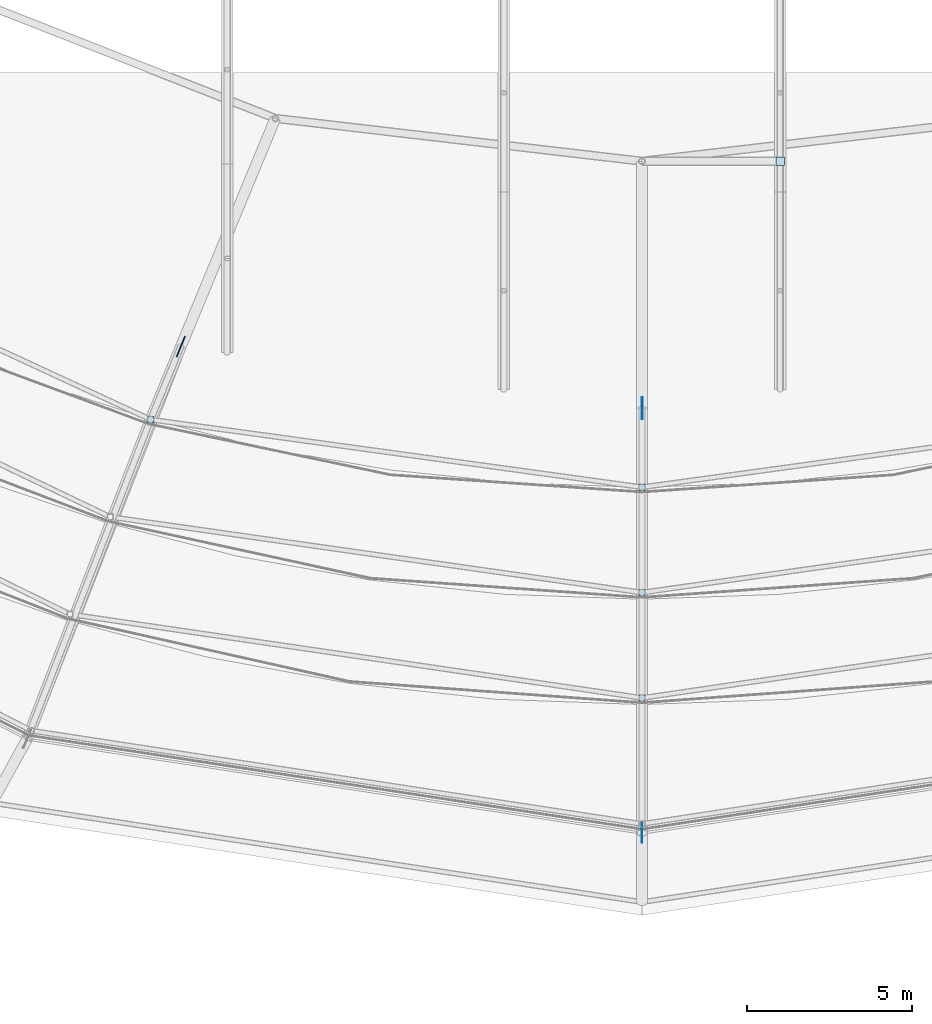
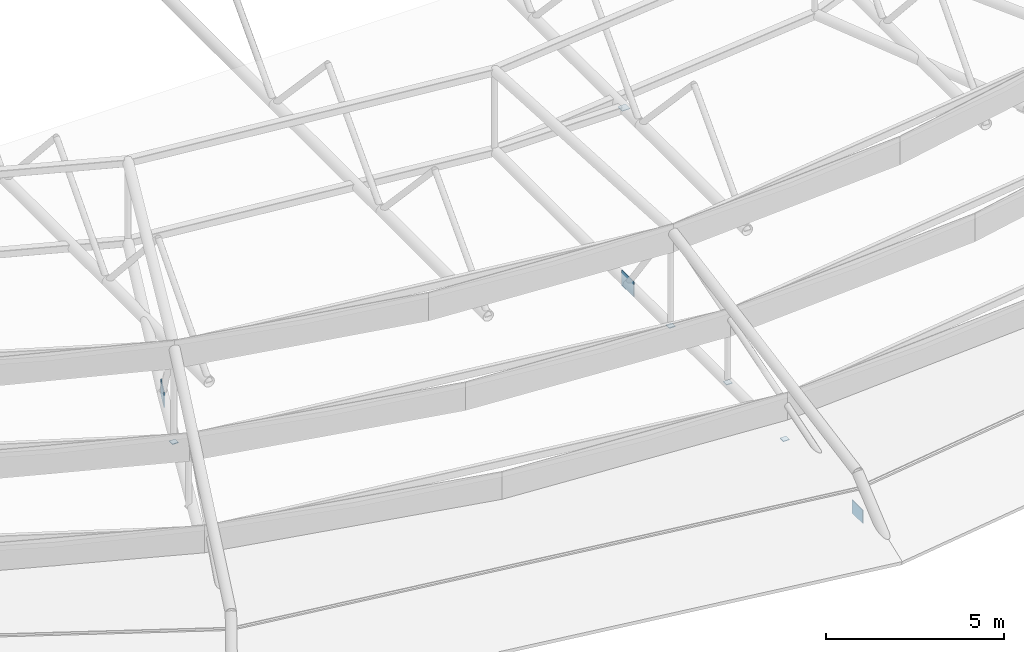
# One storey, part 114 of 134: 8 plates.
"""IFC4 building model written with IfcOpenShell, lengths in metres."""

from ifc_helpers import new_model, si_unit, derived_unit, direction, frame, origin, origin_2d, place, context, subcontext, project, spatial, rectangle, extrude, material, layer, layer_set, type_object, element, save


model = new_model("IFC4")

# Units and contexts
model_context = context("Model", 3, precision=1e-05, world=origin(), true_north=direction((0.0, 1.0)))
body_context = subcontext(model_context, "Body", "Model", "MODEL_VIEW")
ifc_project = project(units=[si_unit("LENGTHUNIT", "METRE"), si_unit("AREAUNIT", "SQUARE_METRE"), si_unit("VOLUMEUNIT", "CUBIC_METRE"), si_unit("PLANEANGLEUNIT", "RADIAN"), si_unit("MASSUNIT", "GRAM", prefix="KILO"), derived_unit("THERMALTRANSMITTANCEUNIT", [(si_unit("MASSUNIT", "GRAM", prefix="KILO"), 1), (si_unit("TIMEUNIT", "SECOND"), -3), (si_unit("THERMODYNAMICTEMPERATUREUNIT", "KELVIN"), -1)])], contexts=[model_context])

# Site, building, storey
site_placement = place(None, origin())
site = spatial("IfcSite", under=ifc_project, at=site_placement, CompositionType="ELEMENT")
building_placement = place(site_placement, origin())
building = spatial("IfcBuilding", under=site, at=building_placement, Name="Kharveza Railside Sports Centre", CompositionType="ELEMENT")
storey_placement = place(building_placement, frame((0.0, 0.0, 12.89990234375)))
storey = spatial("IfcBuildingStorey", under=building, at=storey_placement, Name="L03", CompositionType="ELEMENT", Elevation=12.89990234375)

# Plates
ifc_material = material(Name="Steel S355J2", Category="steel")
ifc_layer_1 = layer(ifc_material, 0.02001953125, Name="Steel S355J2")
ifc_layer_set_1 = layer_set([ifc_layer_1], Name="Steel S355J2")
plate_type_1 = type_object("IfcPlateType", Name="PL-EC06", PredefinedType="USERDEFINED", material=ifc_layer_set_1)
plate_1_placement = place(storey_placement, frame((58.800048828125, 33.300048828125, -0.059814453125), z_axis=(0.0, 0.0, 1.0), x_axis=(1.0, 0.0, 0.0)))
element("IfcPlate", 1, at=plate_1_placement, inside=storey, type_object=plate_type_1, Name="PLT-EC-085", ObjectType="END_CAP_PLATE", PredefinedType="USERDEFINED", context=body_context, shape_type="SweptSolid", body=[
    extrude(rectangle(XDim=0.25, YDim=0.25, at=origin_2d()), origin(), (0.0, 0.0, 1.0), 0.02001953125),
])
ifc_layer_2 = layer(ifc_material, 0.02001953125, Name="Steel S355J2")
ifc_layer_set_2 = layer_set([ifc_layer_2], Name="Steel S355J2")
plate_type_2 = type_object("IfcPlateType", Name="PL-EC09", PredefinedType="USERDEFINED", material=ifc_layer_set_2)
for number, where, z_axis, x_axis, name in (
    (2, (54.60009765625, 17.0, -0.059814453125), (0.0, 0.0, 1.0), (1.0, 0.0, 0.0), "PLT-EC-032"),
    (3, (54.60009765625, 20.199951171875, -0.059814453125), (0.0, 0.0, 1.0), (1.0, 0.0, 0.0), "PLT-EC-048"),
    (4, (39.67529296875, 25.455322265625, -0.059814453125), (0.0, 0.0, 1.0), (1.0, 0.0, 0.0), "PLT-EC-063"),
    (5, (54.60009765625, 23.39990234375, -0.059814453125), (0.0, 0.0, 1.0), (1.0, 0.0, 0.0), "PLT-EC-064"),
):
    element("IfcPlate", number, at=place(storey_placement, frame(where, z_axis=z_axis, x_axis=x_axis)), inside=storey, type_object=plate_type_2, Name=name, ObjectType="END_CAP_PLATE", PredefinedType="USERDEFINED", context=body_context, shape_type="SweptSolid", body=[
        extrude(rectangle(XDim=0.194091796875, YDim=0.194091796875, at=origin_2d()), origin(), (0.0, 0.0, 1.0), 0.02001953125),
    ])
ifc_layer_3 = layer(ifc_material, 0.030029296875, Name="Steel S355J2")
ifc_layer_set_3 = layer_set([ifc_layer_3], Name="Steel S355J2")
plate_type_3 = type_object("IfcPlateType", Name="PL-GS01", PredefinedType="USERDEFINED", material=ifc_layer_set_3)
for number, where, z_axis, x_axis, name in (
    (6, (40.59375, 27.672607421875, -0.309814453125), (0.0, 0.0, 1.0), (-0.382683432365, -0.923879532511, 0.0), "PLT-GS-DRUM-12"),
    (7, (54.60009765625, 25.800048828125, -0.309814453125), (0.0, 0.0, 1.0), (0.0, -1.0, 0.0), "PLT-GS-DRUM-13"),
):
    element("IfcPlate", number, at=place(storey_placement, frame(where, z_axis=z_axis, x_axis=x_axis)), inside=storey, type_object=plate_type_3, Name=name, ObjectType="GUSSET_PLATE", PredefinedType="USERDEFINED", context=body_context, shape_type="SweptSolid", body=[
        extrude(rectangle(XDim=0.679931640625, YDim=0.030029296875, at=origin_2d()), origin(), (0.0, 0.0, 1.0), 0.52001953125),
    ])
ifc_layer_4 = layer(ifc_material, 0.02490234375, Name="Steel S355J2")
ifc_layer_set_4 = layer_set([ifc_layer_4], Name="Steel S355J2")
plate_type_4 = type_object("IfcPlateType", Name="PL-GS02", PredefinedType="USERDEFINED", material=ifc_layer_set_4)
plate_2_placement = place(storey_placement, frame((54.60009765625, 12.89990234375, -0.27978515625), z_axis=(0.0, 0.0, 1.0), x_axis=(0.0, -1.0, 0.0)))
element("IfcPlate", 8, at=plate_2_placement, inside=storey, type_object=plate_type_4, Name="PLT-GS-RAKER-13", ObjectType="GUSSET_PLATE", PredefinedType="USERDEFINED", context=body_context, shape_type="SweptSolid", body=[
    extrude(rectangle(XDim=0.60009765625, YDim=0.02490234375, at=origin_2d()), origin(), (0.0, 0.0, 1.0), 0.4599609375),
])

save(model, "model.ifc")
